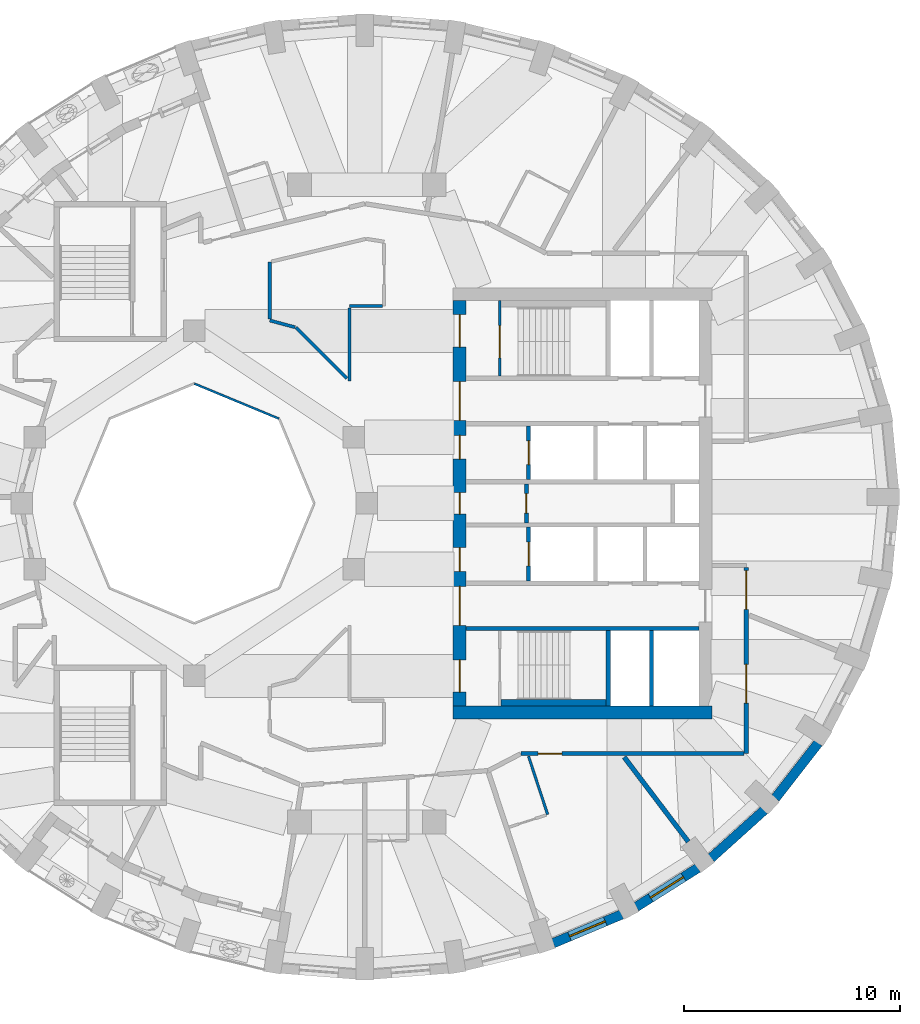
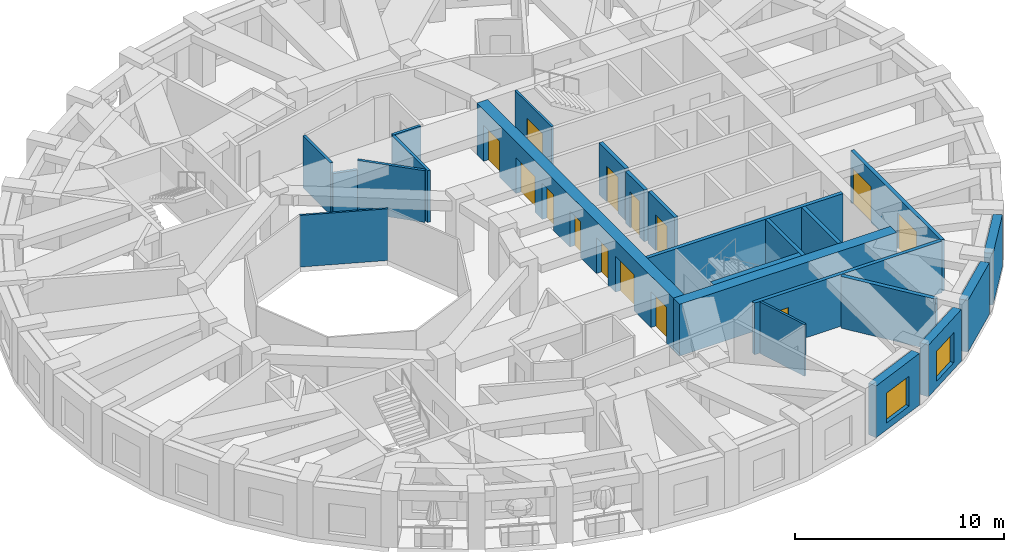
# One storey, part 5 of 12: 24 walls, 14 doors, 2 windows, 16 openings.
"""IFC4 building model written with IfcOpenShell, lengths in metres."""

from ifc_helpers import new_model, si_unit, direction, frame, frame_2d, origin, place, context, subcontext, project, spatial, rectangle, extrude, material, layer, layer_set, type_object, element, fill, save


model = new_model("IFC4")

# Units and contexts
model_context = context("Model", 3, precision=1e-05, world=origin(), true_north=direction((0.0, 1.0)))
body_context = subcontext(model_context, "Body", "Model", "MODEL_VIEW")
ifc_project = project(units=[si_unit("LENGTHUNIT", "METRE"), si_unit("AREAUNIT", "SQUARE_METRE"), si_unit("VOLUMEUNIT", "CUBIC_METRE"), si_unit("PLANEANGLEUNIT", "RADIAN"), si_unit("MASSUNIT", "GRAM", prefix="KILO")], contexts=[model_context])

# Site, building, storey
site_placement = place(None, origin())
site = spatial("IfcSite", under=ifc_project, at=site_placement, CompositionType="ELEMENT")
building_placement = place(site_placement, origin())
building = spatial("IfcBuilding", under=site, at=building_placement, Name="Taillehof Tower", CompositionType="ELEMENT")
storey_placement = place(building_placement, frame((0.0, 0.0, 253.10009765625)))
storey = spatial("IfcBuildingStorey", under=building, at=storey_placement, Name="L72", CompositionType="ELEMENT", Elevation=253.10009765625)

# Wall
ifc_material_1 = material(Name="Fire-resisting glass in steel frame", Category="steel")
ifc_layer_1 = layer(ifc_material_1, 0.10009765625)
ifc_layer_set_1 = layer_set([ifc_layer_1], Name="Atrium fire-resisting screen EI 60 100")
wall_type_1 = type_object("IfcWallType", Name="Atrium fire-resisting screen EI 60 100", PredefinedType="PARTITIONING", material=ifc_layer_set_1)
wall_1_placement = place(storey_placement, frame((-8.0, 5.55419921875, 0.0), z_axis=(0.0, 0.0, 1.0), x_axis=(0.923860025149, -0.382730523909, 0.0)))
element("IfcWall", 1, at=wall_1_placement, inside=storey, type_object=wall_type_1, Name="Atrium screen", PredefinedType="PARTITIONING", context=body_context, shape_type="SweptSolid", body=[
    extrude(rectangle(XDim=4.2509765625, YDim=0.10009765625, at=frame_2d((2.12548828125, 0.0))), origin(), (0.0, 0.0, 1.0), 3.02001953125),
])

# Wall, opening, window
ifc_material_2 = material(Name="Brick masonry", Category="masonry")
ifc_layer_2 = layer(ifc_material_2, 0.449951171875)
ifc_layer_set_2 = layer_set([ifc_layer_2], Name="Brick infill wall 450")
wall_type_2 = type_object("IfcWallType", Name="Brick infill wall 450", PredefinedType="SOLIDWALL", material=ifc_layer_set_2)
wall_2_placement = place(storey_placement, frame((8.640869140625, -20.394775390625, 0.0), z_axis=(0.0, 0.0, 1.0), x_axis=(0.922049934692, 0.3870709469, 0.0)))
wall_2 = element("IfcWall", 2, at=wall_2_placement, inside=storey, type_object=wall_type_2, Name="Brick wall L72 bay 30", PredefinedType="SOLIDWALL", context=body_context, shape_type="SweptSolid", body=[
    extrude(rectangle(XDim=3.443115234375, YDim=0.449951171875, at=frame_2d((1.7216796875, 0.0))), origin(), (0.0, 0.0, 1.0), 3.02001953125),
])
opening_1_placement = place(wall_2_placement, frame((0.82177734375, 0.0, 0.39990234375)))
opening_1 = element("IfcOpeningElement", 3, at=opening_1_placement, cuts=wall_2, Name="Opening W4", PredefinedType="OPENING", context=body_context, shape_type="SweptSolid", body=[
    extrude(rectangle(XDim=1.800048828125, YDim=1.75, at=frame_2d((0.89990234375, 0.875))), frame((0.0, 0.23486328125, 0.0), z_axis=(0.0, -1.0, 0.0), x_axis=(1.0, 0.0, 0.0)), (0.0, 0.0, 1.0), 0.469970703125),
])
ifc_material_3 = material(Name="Aluminium window frame with clear double glazing", Category="aluminium")
window_type = type_object("IfcWindowType", Name="Deep-set window 1800x1750", PartitioningType="SINGLE_PANEL", PredefinedType="WINDOW", material=ifc_material_3)
window_1_placement = place(opening_1_placement, origin())
window_1 = element("IfcWindow", 4, at=window_1_placement, inside=storey, type_object=window_type, Name="W4", OverallHeight=1.75, OverallWidth=1.800048828125, PartitioningType="SINGLE_PANEL", PredefinedType="WINDOW", context=body_context, shape_type="SweptSolid", body=[
    extrude(rectangle(XDim=1.800048828125, YDim=1.75, at=frame_2d((0.89990234375, 0.875))), frame((0.0, 0.034912109375, 0.0), z_axis=(0.0, -1.0, 0.0), x_axis=(1.0, 0.0, 0.0)), (0.0, 0.0, 1.0), 0.06005859375),
])
fill(opening_1, window_1)

wall_3_placement = place(storey_placement, frame((12.489990234375, -18.7109375, 0.0), z_axis=(0.0, 0.0, 1.0), x_axis=(0.845929139811, 0.53329531258, 0.0)))
wall_3 = element("IfcWall", 5, at=wall_3_placement, inside=storey, type_object=wall_type_2, Name="Brick wall L72 bay 31", PredefinedType="SOLIDWALL", context=body_context, shape_type="SweptSolid", body=[
    extrude(rectangle(XDim=3.384521484375, YDim=0.449951171875, at=frame_2d((1.6923828125, 0.0))), origin(), (0.0, 0.0, 1.0), 3.02001953125),
])
opening_2_placement = place(wall_3_placement, frame((0.792236328125, 0.0, 0.39990234375)))
opening_2 = element("IfcOpeningElement", 6, at=opening_2_placement, cuts=wall_3, Name="Opening W4", PredefinedType="OPENING", context=body_context, shape_type="SweptSolid", body=[
    extrude(rectangle(XDim=1.800048828125, YDim=1.75, at=frame_2d((0.89990234375, 0.875))), frame((0.0, 0.23486328125, 0.0), z_axis=(0.0, -1.0, 0.0), x_axis=(1.0, 0.0, 0.0)), (0.0, 0.0, 1.0), 0.469970703125),
])
window_2_placement = place(opening_2_placement, origin())
window_2 = element("IfcWindow", 7, at=window_2_placement, inside=storey, type_object=window_type, Name="W4", OverallHeight=1.75, OverallWidth=1.800048828125, PartitioningType="SINGLE_PANEL", PredefinedType="WINDOW", context=body_context, shape_type="SweptSolid", body=[
    extrude(rectangle(XDim=1.800048828125, YDim=1.75, at=frame_2d((0.89990234375, 0.875))), frame((0.0, 0.034912109375, 0.0), z_axis=(0.0, -1.0, 0.0), x_axis=(1.0, 0.0, 0.0)), (0.0, 0.0, 1.0), 0.06005859375),
])
fill(opening_2, window_2)

# Walls
wall_4_placement = place(storey_placement, frame((15.959228515625, -16.447509765625, 0.0), z_axis=(0.0, 0.0, 1.0), x_axis=(0.743166014219, 0.669107073128, 0.0)))
element("IfcWall", 8, at=wall_4_placement, inside=storey, type_object=wall_type_2, Name="Brick wall L72 bay 32", PredefinedType="SOLIDWALL", context=body_context, shape_type="SweptSolid", body=[
    extrude(rectangle(XDim=3.31640625, YDim=0.449951171875, at=frame_2d((1.658203125, 0.0))), origin(), (0.0, 0.0, 1.0), 3.02001953125),
])
wall_5_placement = place(storey_placement, frame((18.941650390625, -13.671875, 0.0), z_axis=(0.0, 0.0, 1.0), x_axis=(0.613898970825, 0.789384604372, 0.0)))
element("IfcWall", 9, at=wall_5_placement, inside=storey, type_object=wall_type_2, Name="Brick wall L72 bay 33", PredefinedType="SOLIDWALL", context=body_context, shape_type="SweptSolid", body=[
    extrude(rectangle(XDim=3.2470703125, YDim=0.449951171875, at=frame_2d((1.62353515625, 0.0))), origin(), (0.0, 0.0, 1.0), 3.02001953125),
])

# Wall, opening, door
ifc_material_4 = material(Name="Calcium silicate masonry", Category="masonry")
ifc_layer_3 = layer(ifc_material_4, 0.199951171875)
ifc_layer_set_3 = layer_set([ifc_layer_3], Name="Compartment wall calcium silicate 200")
wall_type_3 = type_object("IfcWallType", Name="Compartment wall calcium silicate 200", PredefinedType="PARTITIONING", material=ifc_layer_set_3)
wall_6_placement = place(storey_placement, frame((7.39990234375, -0.89990234375, 0.0), z_axis=(0.0, 0.0, 1.0), x_axis=(0.0, 1.0, 0.0)))
wall_6 = element("IfcWall", 10, at=wall_6_placement, inside=storey, type_object=wall_type_3, Name="Compartment wall FW", PredefinedType="PARTITIONING", context=body_context, shape_type="SweptSolid", body=[
    extrude(rectangle(XDim=1.7998046875, YDim=0.199951171875, at=frame_2d((0.89990234375, 0.0))), origin(), (0.0, 0.0, 1.0), 3.02001953125),
])
opening_3_placement = place(wall_6_placement, frame((0.449951171875, 0.0, 0.0)))
opening_3 = element("IfcOpeningElement", 11, at=opening_3_placement, cuts=wall_6, Name="Opening D7214", PredefinedType="OPENING", context=body_context, shape_type="SweptSolid", body=[
    extrude(rectangle(XDim=0.89990234375, YDim=2.10009765625, at=frame_2d((0.449951171875, 1.050048828125))), frame((0.0, 0.10986328125, 0.0), z_axis=(0.0, -1.0, 0.0), x_axis=(1.0, 0.0, 0.0)), (0.0, 0.0, 1.0), 0.219970703125),
])
ifc_material_5 = material(Name="Steel-faced fire door", Category="steel")
door_type_1 = type_object("IfcDoorType", Name="Riser and service room door 900x2100", OperationType="SINGLE_SWING_LEFT", PredefinedType="DOOR", material=ifc_material_5)
door_1_placement = place(opening_3_placement, origin())
door_1 = element("IfcDoor", 12, at=door_1_placement, inside=storey, type_object=door_type_1, Name="Door Housekeeping Store", OperationType="SINGLE_SWING_RIGHT", OverallHeight=2.10009765625, OverallWidth=0.89990234375, PredefinedType="DOOR", context=body_context, shape_type="SweptSolid", body=[
    extrude(rectangle(XDim=0.89990234375, YDim=2.10009765625, at=frame_2d((0.449951171875, 1.050048828125))), frame((0.0, 0.02490234375, 0.0), z_axis=(0.0, -1.0, 0.0), x_axis=(1.0, 0.0, 0.0)), (0.0, 0.0, 1.0), 0.050048828125),
])
fill(opening_3, door_1)

# Wall, openings, doors
ifc_material_6 = material(Name="Gypsum board on steel studs, two layers each side", Category="steel")
ifc_layer_4 = layer(ifc_material_6, 0.199951171875)
ifc_layer_set_4 = layer_set([ifc_layer_4], Name="Compartment wall corridor 200")
wall_type_4 = type_object("IfcWallType", Name="Compartment wall corridor 200", PredefinedType="PARTITIONING", material=ifc_layer_set_4)
wall_7_placement = place(storey_placement, frame((17.60009765625, -2.977294921875, 0.0), z_axis=(0.0, 0.0, 1.0), x_axis=(0.0, -1.0, 0.0)))
wall_7 = element("IfcWall", 13, at=wall_7_placement, inside=storey, type_object=wall_type_4, Name="Compartment wall", PredefinedType="PARTITIONING", context=body_context, shape_type="SweptSolid", body=[
    extrude(rectangle(XDim=8.622802734375, YDim=0.199951171875, at=frame_2d((4.3115234375, 0.0))), origin(), (0.0, 0.0, 1.0), 3.02001953125),
])
opening_4_placement = place(wall_7_placement, frame((4.482666015625, 0.0, 0.0)))
opening_4 = element("IfcOpeningElement", 14, at=opening_4_placement, cuts=wall_7, Name="Opening D7256", PredefinedType="OPENING", context=body_context, shape_type="SweptSolid", body=[
    extrude(rectangle(XDim=1.800048828125, YDim=2.10009765625, at=frame_2d((0.89990234375, 1.050048828125))), frame((0.0, 0.10986328125, 0.0), z_axis=(0.0, -1.0, 0.0), x_axis=(1.0, 0.0, 0.0)), (0.0, 0.0, 1.0), 0.219970703125),
])
opening_5_placement = place(wall_7_placement, frame((0.139892578125, 0.0, 0.0)))
opening_5 = element("IfcOpeningElement", 15, at=opening_5_placement, cuts=wall_7, Name="Opening D7257", PredefinedType="OPENING", context=body_context, shape_type="SweptSolid", body=[
    extrude(rectangle(XDim=1.800048828125, YDim=2.10009765625, at=frame_2d((0.89990234375, 1.050048828125))), frame((0.0, 0.10986328125, 0.0), z_axis=(0.0, -1.0, 0.0), x_axis=(1.0, 0.0, 0.0)), (0.0, 0.0, 1.0), 0.219970703125),
])
ifc_material_7 = material(Name="Timber door leaf in steel frame", Category="steel")
door_type_2 = type_object("IfcDoorType", Name="Lounge and meeting room double door EI 30 1800 x 2100", OperationType="SINGLE_SWING_LEFT", PredefinedType="DOOR", material=ifc_material_7)
door_2_placement = place(opening_4_placement, origin())
door_2 = element("IfcDoor", 16, at=door_2_placement, inside=storey, type_object=door_type_2, Name="D7256", OperationType="DOUBLE_DOOR_SINGLE_SWING", OverallHeight=2.10009765625, OverallWidth=1.800048828125, PredefinedType="DOOR", context=body_context, shape_type="SweptSolid", body=[
    extrude(rectangle(XDim=1.800048828125, YDim=2.10009765625, at=frame_2d((0.89990234375, 1.050048828125))), frame((0.0, 0.02490234375, 0.0), z_axis=(0.0, -1.0, 0.0), x_axis=(1.0, 0.0, 0.0)), (0.0, 0.0, 1.0), 0.050048828125),
])
fill(opening_4, door_2)
door_3_placement = place(opening_5_placement, origin())
door_3 = element("IfcDoor", 17, at=door_3_placement, inside=storey, type_object=door_type_2, Name="D7257", OperationType="DOUBLE_DOOR_SINGLE_SWING", OverallHeight=2.10009765625, OverallWidth=1.800048828125, PredefinedType="DOOR", context=body_context, shape_type="SweptSolid", body=[
    extrude(rectangle(XDim=1.800048828125, YDim=2.10009765625, at=frame_2d((0.89990234375, 1.050048828125))), frame((0.0, 0.02490234375, 0.0), z_axis=(0.0, -1.0, 0.0), x_axis=(1.0, 0.0, 0.0)), (0.0, 0.0, 1.0), 0.050048828125),
])
fill(opening_5, door_3)

# Wall, opening, door
wall_8_placement = place(storey_placement, frame((17.5, -11.60009765625, 0.0), z_axis=(0.0, 0.0, 1.0), x_axis=(-1.0, 0.0, 0.0)))
wall_8 = element("IfcWall", 18, at=wall_8_placement, inside=storey, type_object=wall_type_4, Name="Compartment wall", PredefinedType="PARTITIONING", context=body_context, shape_type="SweptSolid", body=[
    extrude(rectangle(XDim=10.347900390625, YDim=0.199951171875, at=frame_2d((5.173828125, 0.0))), origin(), (0.0, 0.0, 1.0), 3.02001953125),
])
opening_6_placement = place(wall_8_placement, frame((8.461669921875, 0.0, 0.0)))
opening_6 = element("IfcOpeningElement", 19, at=opening_6_placement, cuts=wall_8, Name="Opening D7254", PredefinedType="OPENING", context=body_context, shape_type="SweptSolid", body=[
    extrude(rectangle(XDim=1.10009765625, YDim=2.10009765625, at=frame_2d((0.550048828125, 1.050048828125))), frame((0.0, 0.10986328125, 0.0), z_axis=(0.0, -1.0, 0.0), x_axis=(1.0, 0.0, 0.0)), (0.0, 0.0, 1.0), 0.219970703125),
])
ifc_material_8 = material(Name="Timber door leaf in steel frame", Category="steel")
door_type_3 = type_object("IfcDoorType", Name="Suite entrance door EI 30 1100 x 2100", OperationType="SINGLE_SWING_LEFT", PredefinedType="DOOR", material=ifc_material_8)
door_4_placement = place(opening_6_placement, origin())
door_4 = element("IfcDoor", 20, at=door_4_placement, inside=storey, type_object=door_type_3, Name="D7254", OperationType="SINGLE_SWING_RIGHT", OverallHeight=2.10009765625, OverallWidth=1.10009765625, PredefinedType="DOOR", context=body_context, shape_type="SweptSolid", body=[
    extrude(rectangle(XDim=1.10009765625, YDim=2.10009765625, at=frame_2d((0.550048828125, 1.050048828125))), frame((0.0, 0.02490234375, 0.0), z_axis=(0.0, -1.0, 0.0), x_axis=(1.0, 0.0, 0.0)), (0.0, 0.0, 1.0), 0.050048828125),
])
fill(opening_6, door_4)

# Walls
ifc_material_9 = material(Name="Gypsum board on double steel studs with mineral wool", Category="steel")
ifc_layer_5 = layer(ifc_material_9, 0.219970703125)
ifc_layer_set_5 = layer_set([ifc_layer_5], Name="Compartment wall guest room 220")
wall_type_5 = type_object("IfcWallType", Name="Compartment wall guest room 220", PredefinedType="PARTITIONING", material=ifc_layer_set_5)
wall_9_placement = place(storey_placement, frame((14.906005859375, -15.687255859375, 0.0), z_axis=(0.0, 0.0, 1.0), x_axis=(-0.604078206052, 0.796925041, 0.0)))
element("IfcWall", 21, at=wall_9_placement, inside=storey, type_object=wall_type_5, Name="Compartment wall", PredefinedType="PARTITIONING", context=body_context, shape_type="SweptSolid", body=[
    extrude(rectangle(XDim=4.92333984375, YDim=0.219970703125, at=frame_2d((2.461669921875, 0.0))), origin(), (0.0, 0.0, 1.0), 3.02001953125),
])
ifc_material_10 = material(Name="Calcium silicate masonry", Category="masonry")
ifc_layer_6 = layer(ifc_material_10, 0.300048828125)
ifc_layer_set_6 = layer_set([ifc_layer_6], Name="Compartment wall lining calcium silicate 300")
wall_type_6 = type_object("IfcWallType", Name="Compartment wall lining calcium silicate 300", PredefinedType="PARTITIONING", material=ifc_layer_set_6)
wall_10_placement = place(storey_placement, frame((6.219970703125, -9.25, 0.0), z_axis=(0.0, 0.0, 1.0), x_axis=(1.0, 0.0, 0.0)))
element("IfcWall", 22, at=wall_10_placement, inside=storey, type_object=wall_type_6, Name="Compartment wall FW", PredefinedType="PARTITIONING", context=body_context, shape_type="SweptSolid", body=[
    extrude(rectangle(XDim=4.880126953125, YDim=0.300048828125, at=frame_2d((2.43994140625, 0.0))), origin(), (0.0, 0.0, 1.0), 3.02001953125),
])
ifc_material_11 = material(Name="Gypsum board on steel studs, two layers each side", Category="steel")
ifc_layer_7 = layer(ifc_material_11, 0.14990234375)
ifc_layer_set_7 = layer_set([ifc_layer_7], Name="Compartment wall service room 150")
wall_type_7 = type_object("IfcWallType", Name="Compartment wall service room 150", PredefinedType="PARTITIONING", material=ifc_layer_set_7)
wall_11_placement = place(storey_placement, frame((0.719970703125, 9.14990234375, 0.0), z_axis=(0.0, 0.0, 1.0), x_axis=(-1.0, 0.0, 0.0)))
element("IfcWall", 23, at=wall_11_placement, inside=storey, type_object=wall_type_7, Name="Compartment wall", PredefinedType="PARTITIONING", context=body_context, shape_type="SweptSolid", body=[
    extrude(rectangle(XDim=1.52001953125, YDim=0.14990234375, at=frame_2d((0.760009765625, 0.0))), origin(), (0.0, 0.0, 1.0), 3.02001953125),
])
wall_12_placement = place(storey_placement, frame((-0.800048828125, 9.06982421875, 0.0), z_axis=(0.0, 0.0, 1.0), x_axis=(0.0, -1.0, 0.0)))
element("IfcWall", 24, at=wall_12_placement, inside=storey, type_object=wall_type_7, Name="Compartment wall", PredefinedType="PARTITIONING", context=body_context, shape_type="SweptSolid", body=[
    extrude(rectangle(XDim=3.400390625, YDim=0.14990234375, at=frame_2d((1.7001953125, 0.0))), origin(), (0.0, 0.0, 1.0), 3.02001953125),
])
wall_13_placement = place(storey_placement, frame((-0.927490234375, 5.796875, 0.0), z_axis=(0.0, 0.0, 1.0), x_axis=(-0.707106781187, 0.707106781187, 0.0)))
element("IfcWall", 25, at=wall_13_placement, inside=storey, type_object=wall_type_7, Name="Compartment wall", PredefinedType="PARTITIONING", context=body_context, shape_type="SweptSolid", body=[
    extrude(rectangle(XDim=3.340576171875, YDim=0.14990234375, at=frame_2d((1.67041015625, 0.0))), origin(), (0.0, 0.0, 1.0), 3.02001953125),
])
wall_14_placement = place(storey_placement, frame((-3.328125, 8.169189453125, 0.0), z_axis=(0.0, 0.0, 1.0), x_axis=(-0.965933680277, 0.258789731841, 0.0)))
element("IfcWall", 26, at=wall_14_placement, inside=storey, type_object=wall_type_7, Name="Compartment wall", PredefinedType="PARTITIONING", context=body_context, shape_type="SweptSolid", body=[
    extrude(rectangle(XDim=1.213134765625, YDim=0.14990234375, at=frame_2d((0.6064453125, 0.0))), origin(), (0.0, 0.0, 1.0), 2.469970703125),
])
wall_15_placement = place(storey_placement, frame((-4.5, 8.563232421875, 0.0), z_axis=(0.0, 0.0, 1.0), x_axis=(0.0, 1.0, 0.0)))
element("IfcWall", 27, at=wall_15_placement, inside=storey, type_object=wall_type_7, Name="Compartment wall", PredefinedType="PARTITIONING", context=body_context, shape_type="SweptSolid", body=[
    extrude(rectangle(XDim=2.6328125, YDim=0.14990234375, at=frame_2d((1.31640625, 0.0))), origin(), (0.0, 0.0, 1.0), 3.02001953125),
])

# Wall, openings, doors
ifc_material_12 = material(Name="Concrete C80/95", Category="concrete")
ifc_layer_8 = layer(ifc_material_12, 0.60009765625)
ifc_layer_set_8 = layer_set([ifc_layer_8], Name="Core wall C80/95 600")
wall_type_8 = type_object("IfcWallType", Name="Core wall C80/95 600", PredefinedType="SHEAR", material=ifc_layer_set_8)
wall_16_placement = place(storey_placement, frame((4.300048828125, -9.39990234375, 0.0), z_axis=(0.0, 0.0, 1.0), x_axis=(0.0, 1.0, 0.0)))
wall_16 = element("IfcWall", 28, at=wall_16_placement, inside=storey, type_object=wall_type_8, Name="Core wall CW01", PredefinedType="SHEAR", context=body_context, shape_type="SweptSolid", body=[
    extrude(rectangle(XDim=18.7998046875, YDim=0.60009765625, at=frame_2d((9.39990234375, 0.0))), origin(), (0.0, 0.0, 1.0), 3.02001953125),
])
opening_7_placement = place(wall_16_placement, frame((0.64990234375, 0.0, 0.0)))
opening_7 = element("IfcOpeningElement", 29, at=opening_7_placement, cuts=wall_16, Name="Opening D7201", PredefinedType="OPENING", context=body_context, shape_type="SweptSolid", body=[
    extrude(rectangle(XDim=1.5, YDim=2.10009765625, at=frame_2d((0.75, 1.050048828125))), frame((0.0, 0.31005859375, 0.0), z_axis=(0.0, -1.0, 0.0), x_axis=(1.0, 0.0, 0.0)), (0.0, 0.0, 1.0), 0.6201171875),
])
opening_8_placement = place(wall_16_placement, frame((3.75, 0.0, 0.0)))
opening_8 = element("IfcOpeningElement", 30, at=opening_8_placement, cuts=wall_16, Name="Opening D7202", PredefinedType="OPENING", context=body_context, shape_type="SweptSolid", body=[
    extrude(rectangle(XDim=1.800048828125, YDim=2.10009765625, at=frame_2d((0.89990234375, 1.050048828125))), frame((0.0, 0.31005859375, 0.0), z_axis=(0.0, -1.0, 0.0), x_axis=(1.0, 0.0, 0.0)), (0.0, 0.0, 1.0), 0.6201171875),
])
opening_9_placement = place(wall_16_placement, frame((6.25, 0.0, 0.0)))
opening_9 = element("IfcOpeningElement", 31, at=opening_9_placement, cuts=wall_16, Name="Opening D7203", PredefinedType="OPENING", context=body_context, shape_type="SweptSolid", body=[
    extrude(rectangle(XDim=1.10009765625, YDim=2.10009765625, at=frame_2d((0.550048828125, 1.050048828125))), frame((0.0, 0.31005859375, 0.0), z_axis=(0.0, -1.0, 0.0), x_axis=(1.0, 0.0, 0.0)), (0.0, 0.0, 1.0), 0.6201171875),
])
opening_10_placement = place(wall_16_placement, frame((8.89990234375, 0.0, 0.0)))
opening_10 = element("IfcOpeningElement", 32, at=opening_10_placement, cuts=wall_16, Name="Opening D7204", PredefinedType="OPENING", context=body_context, shape_type="SweptSolid", body=[
    extrude(rectangle(XDim=1.0, YDim=2.10009765625, at=frame_2d((0.5, 1.050048828125))), frame((0.0, 0.31005859375, 0.0), z_axis=(0.0, -1.0, 0.0), x_axis=(1.0, 0.0, 0.0)), (0.0, 0.0, 1.0), 0.6201171875),
])
opening_11_placement = place(wall_16_placement, frame((11.449951171875, 0.0, 0.0)))
opening_11 = element("IfcOpeningElement", 33, at=opening_11_placement, cuts=wall_16, Name="Opening D7205", PredefinedType="OPENING", context=body_context, shape_type="SweptSolid", body=[
    extrude(rectangle(XDim=1.10009765625, YDim=2.10009765625, at=frame_2d((0.550048828125, 1.050048828125))), frame((0.0, 0.31005859375, 0.0), z_axis=(0.0, -1.0, 0.0), x_axis=(1.0, 0.0, 0.0)), (0.0, 0.0, 1.0), 0.6201171875),
])
opening_12_placement = place(wall_16_placement, frame((13.25, 0.0, 0.0)))
opening_12 = element("IfcOpeningElement", 34, at=opening_12_placement, cuts=wall_16, Name="Opening D7206", PredefinedType="OPENING", context=body_context, shape_type="SweptSolid", body=[
    extrude(rectangle(XDim=1.800048828125, YDim=2.10009765625, at=frame_2d((0.89990234375, 1.050048828125))), frame((0.0, 0.31005859375, 0.0), z_axis=(0.0, -1.0, 0.0), x_axis=(1.0, 0.0, 0.0)), (0.0, 0.0, 1.0), 0.6201171875),
])
opening_13_placement = place(wall_16_placement, frame((16.64990234375, 0.0, 0.0)))
opening_13 = element("IfcOpeningElement", 35, at=opening_13_placement, cuts=wall_16, Name="Opening D7207", PredefinedType="OPENING", context=body_context, shape_type="SweptSolid", body=[
    extrude(rectangle(XDim=1.5, YDim=2.10009765625, at=frame_2d((0.75, 1.050048828125))), frame((0.0, 0.31005859375, 0.0), z_axis=(0.0, -1.0, 0.0), x_axis=(1.0, 0.0, 0.0)), (0.0, 0.0, 1.0), 0.6201171875),
])
ifc_material_13 = material(Name="Steel-faced fire door", Category="steel")
door_type_4 = type_object("IfcDoorType", Name="Firefighting lobby door 1100x2100", OperationType="SINGLE_SWING_RIGHT", PredefinedType="DOOR", material=ifc_material_13)
door_5_placement = place(opening_9_placement, origin())
door_5 = element("IfcDoor", 36, at=door_5_placement, inside=storey, type_object=door_type_4, Name="Firefighting lobby door FFL-S", OperationType="SINGLE_SWING_RIGHT", OverallHeight=2.10009765625, OverallWidth=1.10009765625, PredefinedType="DOOR", context=body_context, shape_type="SweptSolid", body=[
    extrude(rectangle(XDim=1.10009765625, YDim=2.10009765625, at=frame_2d((0.550048828125, 1.050048828125))), frame((0.0, 0.02490234375, 0.0), z_axis=(0.0, -1.0, 0.0), x_axis=(1.0, 0.0, 0.0)), (0.0, 0.0, 1.0), 0.050048828125),
])
fill(opening_9, door_5)
door_6_placement = place(opening_11_placement, origin())
door_6 = element("IfcDoor", 37, at=door_6_placement, inside=storey, type_object=door_type_4, Name="Firefighting lobby door FFL-N", OperationType="SINGLE_SWING_LEFT", OverallHeight=2.10009765625, OverallWidth=1.10009765625, PredefinedType="DOOR", context=body_context, shape_type="SweptSolid", body=[
    extrude(rectangle(XDim=1.10009765625, YDim=2.10009765625, at=frame_2d((0.550048828125, 1.050048828125))), frame((0.0, 0.02490234375, 0.0), z_axis=(0.0, -1.0, 0.0), x_axis=(1.0, 0.0, 0.0)), (0.0, 0.0, 1.0), 0.050048828125),
])
fill(opening_11, door_6)
ifc_material_14 = material(Name="Steel-faced fire door", Category="steel")
door_type_5 = type_object("IfcDoorType", Name="Lift lobby door 1800x2100", OperationType="DOUBLE_DOOR_SINGLE_SWING", PredefinedType="DOOR", material=ifc_material_14)
door_7_placement = place(opening_8_placement, origin())
door_7 = element("IfcDoor", 38, at=door_7_placement, inside=storey, type_object=door_type_5, Name="Lift lobby door LL-S", OperationType="DOUBLE_DOOR_SINGLE_SWING", OverallHeight=2.10009765625, OverallWidth=1.800048828125, PredefinedType="DOOR", context=body_context, shape_type="SweptSolid", body=[
    extrude(rectangle(XDim=1.800048828125, YDim=2.10009765625, at=frame_2d((0.89990234375, 1.050048828125))), frame((0.0, 0.02490234375, 0.0), z_axis=(0.0, -1.0, 0.0), x_axis=(1.0, 0.0, 0.0)), (0.0, 0.0, 1.0), 0.050048828125),
])
fill(opening_8, door_7)
door_8_placement = place(opening_12_placement, origin())
door_8 = element("IfcDoor", 39, at=door_8_placement, inside=storey, type_object=door_type_5, Name="Lift lobby door LL-N", OperationType="DOUBLE_DOOR_SINGLE_SWING", OverallHeight=2.10009765625, OverallWidth=1.800048828125, PredefinedType="DOOR", context=body_context, shape_type="SweptSolid", body=[
    extrude(rectangle(XDim=1.800048828125, YDim=2.10009765625, at=frame_2d((0.89990234375, 1.050048828125))), frame((0.0, 0.02490234375, 0.0), z_axis=(0.0, -1.0, 0.0), x_axis=(1.0, 0.0, 0.0)), (0.0, 0.0, 1.0), 0.050048828125),
])
fill(opening_12, door_8)
ifc_material_15 = material(Name="Steel-faced fire door", Category="steel")
door_type_6 = type_object("IfcDoorType", Name="Service door 1000x2100", OperationType="SINGLE_SWING_RIGHT", PredefinedType="DOOR", material=ifc_material_15)
door_9_placement = place(opening_10_placement, origin())
door_9 = element("IfcDoor", 40, at=door_9_placement, inside=storey, type_object=door_type_6, Name="Service door SV", OperationType="SINGLE_SWING_RIGHT", OverallHeight=2.10009765625, OverallWidth=1.0, PredefinedType="DOOR", context=body_context, shape_type="SweptSolid", body=[
    extrude(rectangle(XDim=1.0, YDim=2.10009765625, at=frame_2d((0.5, 1.050048828125))), frame((0.0, 0.02490234375, 0.0), z_axis=(0.0, -1.0, 0.0), x_axis=(1.0, 0.0, 0.0)), (0.0, 0.0, 1.0), 0.050048828125),
])
fill(opening_10, door_9)
ifc_material_16 = material(Name="Steel-faced fire door", Category="steel")
door_type_7 = type_object("IfcDoorType", Name="Stair door 1500x2100", OperationType="DOUBLE_DOOR_SINGLE_SWING", PredefinedType="DOOR", material=ifc_material_16)
door_10_placement = place(opening_7_placement, origin())
door_10 = element("IfcDoor", 41, at=door_10_placement, inside=storey, type_object=door_type_7, Name="Stair door S2", OperationType="DOUBLE_DOOR_SINGLE_SWING", OverallHeight=2.10009765625, OverallWidth=1.5, PredefinedType="DOOR", context=body_context, shape_type="SweptSolid", body=[
    extrude(rectangle(XDim=1.5, YDim=2.10009765625, at=frame_2d((0.75, 1.050048828125))), frame((0.0, 0.02490234375, 0.0), z_axis=(0.0, -1.0, 0.0), x_axis=(1.0, 0.0, 0.0)), (0.0, 0.0, 1.0), 0.050048828125),
])
fill(opening_7, door_10)
door_11_placement = place(opening_13_placement, origin())
door_11 = element("IfcDoor", 42, at=door_11_placement, inside=storey, type_object=door_type_7, Name="Stair door S1", OperationType="DOUBLE_DOOR_SINGLE_SWING", OverallHeight=2.10009765625, OverallWidth=1.5, PredefinedType="DOOR", context=body_context, shape_type="SweptSolid", body=[
    extrude(rectangle(XDim=1.5, YDim=2.10009765625, at=frame_2d((0.75, 1.050048828125))), frame((0.0, 0.02490234375, 0.0), z_axis=(0.0, -1.0, 0.0), x_axis=(1.0, 0.0, 0.0)), (0.0, 0.0, 1.0), 0.050048828125),
])
fill(opening_13, door_11)

# Walls
wall_17_placement = place(storey_placement, frame((4.0, -9.699951171875, 0.0), z_axis=(0.0, 0.0, 1.0), x_axis=(1.0, 0.0, 0.0)))
element("IfcWall", 43, at=wall_17_placement, inside=storey, type_object=wall_type_8, Name="Core wall CW07", PredefinedType="SHEAR", context=body_context, shape_type="SweptSolid", body=[
    extrude(rectangle(XDim=12.0, YDim=0.60009765625, at=frame_2d((6.0, 0.0))), origin(), (0.0, 0.0, 1.0), 3.02001953125),
])
ifc_material_17 = material(Name="Gypsum board on steel studs, moisture resistant", Category="steel")
ifc_layer_9 = layer(ifc_material_17, 0.1201171875)
ifc_layer_set_9 = layer_set([ifc_layer_9], Name="En-suite wall 120")
wall_type_9 = type_object("IfcWallType", Name="En-suite wall 120", PredefinedType="PARTITIONING", material=ifc_layer_set_9)
wall_18_placement = place(storey_placement, frame((7.494140625, -11.71923828125, 0.0), z_axis=(0.0, 0.0, 1.0), x_axis=(0.312267061004, -0.949994359253, 0.0)))
element("IfcWall", 44, at=wall_18_placement, inside=storey, type_object=wall_type_9, Name="En-suite wall", PredefinedType="PARTITIONING", context=body_context, shape_type="SweptSolid", body=[
    extrude(rectangle(XDim=2.849853515625, YDim=0.1201171875, at=frame_2d((1.4248046875, 0.0))), origin(), (0.0, 0.0, 1.0), 3.02001953125),
])
ifc_material_18 = material(Name="Concrete C50/60", Category="concrete")
ifc_layer_10 = layer(ifc_material_18, 0.199951171875)
ifc_layer_set_10 = layer_set([ifc_layer_10], Name="Shaft wall C50/60 200")
wall_type_10 = type_object("IfcWallType", Name="Shaft wall C50/60 200", PredefinedType="SHEAR", material=ifc_layer_set_10)
wall_19_placement = place(storey_placement, frame((4.60009765625, -5.800048828125, 0.0), z_axis=(0.0, 0.0, 1.0), x_axis=(1.0, 0.0, 0.0)))
element("IfcWall", 45, at=wall_19_placement, inside=storey, type_object=wall_type_10, Name="Shaft wall SW", PredefinedType="SHEAR", context=body_context, shape_type="SweptSolid", body=[
    extrude(rectangle(XDim=10.7998046875, YDim=0.199951171875, at=frame_2d((5.39990234375, 0.0))), origin(), (0.0, 0.0, 1.0), 3.02001953125),
])
for number, where, z_axis, x_axis, name in (
    (46, (11.199951171875, -9.39990234375, 0.0), (0.0, 0.0, 1.0), (0.0, 1.0, 0.0), "Shaft wall SW"),
    (47, (13.199951171875, -9.39990234375, 0.0), (0.0, 0.0, 1.0), (0.0, 1.0, 0.0), "Shaft wall SW"),
):
    element("IfcWall", number, at=place(storey_placement, frame(where, z_axis=z_axis, x_axis=x_axis)), inside=storey, type_object=wall_type_10, Name=name, PredefinedType="SHEAR", context=body_context, shape_type="SweptSolid", body=[
        extrude(rectangle(XDim=3.5, YDim=0.199951171875, at=frame_2d((1.75, 0.0))), origin(), (0.0, 0.0, 1.0), 3.02001953125),
    ])

# Wall, opening, door
wall_20_placement = place(storey_placement, frame((7.5, 1.10009765625, 0.0), z_axis=(0.0, 0.0, 1.0), x_axis=(0.0, 1.0, 0.0)))
wall_20 = element("IfcWall", 48, at=wall_20_placement, inside=storey, type_object=wall_type_10, Name="Shaft wall SW", PredefinedType="SHEAR", context=body_context, shape_type="SweptSolid", body=[
    extrude(rectangle(XDim=2.5, YDim=0.199951171875, at=frame_2d((1.25, 0.0))), origin(), (0.0, 0.0, 1.0), 3.02001953125),
])
opening_14_placement = place(wall_20_placement, frame((0.699951171875, 0.0, 0.0)))
opening_14 = element("IfcOpeningElement", 49, at=opening_14_placement, cuts=wall_20, Name="Opening LD1", PredefinedType="OPENING", context=body_context, shape_type="SweptSolid", body=[
    extrude(rectangle(XDim=1.10009765625, YDim=2.10009765625, at=frame_2d((0.550048828125, 1.050048828125))), frame((0.0, 0.10986328125, 0.0), z_axis=(0.0, -1.0, 0.0), x_axis=(1.0, 0.0, 0.0)), (0.0, 0.0, 1.0), 0.219970703125),
])
ifc_material_19 = material(Name="Stainless steel", Category="steel")
door_type_8 = type_object("IfcDoorType", Name="Lift landing door LD1 1100x2100", OperationType="DOUBLE_DOOR_SLIDING", PredefinedType="DOOR", material=ifc_material_19)
door_12_placement = place(opening_14_placement, origin())
door_12 = element("IfcDoor", 50, at=door_12_placement, inside=storey, type_object=door_type_8, Name="Landing door FF1", OperationType="DOUBLE_DOOR_SLIDING", OverallHeight=2.10009765625, OverallWidth=1.10009765625, PredefinedType="DOOR", context=body_context, shape_type="SweptSolid", body=[
    extrude(rectangle(XDim=1.10009765625, YDim=2.10009765625, at=frame_2d((0.550048828125, 1.050048828125))), frame((0.0, 0.02490234375, 0.0), z_axis=(0.0, -1.0, 0.0), x_axis=(1.0, 0.0, 0.0)), (0.0, 0.0, 1.0), 0.050048828125),
])
fill(opening_14, door_12)

wall_21_placement = place(storey_placement, frame((7.5, -3.60009765625, 0.0), z_axis=(0.0, 0.0, 1.0), x_axis=(0.0, 1.0, 0.0)))
wall_21 = element("IfcWall", 51, at=wall_21_placement, inside=storey, type_object=wall_type_10, Name="Shaft wall SW", PredefinedType="SHEAR", context=body_context, shape_type="SweptSolid", body=[
    extrude(rectangle(XDim=2.5, YDim=0.199951171875, at=frame_2d((1.25, 0.0))), origin(), (0.0, 0.0, 1.0), 3.02001953125),
])
opening_15_placement = place(wall_21_placement, frame((0.699951171875, 0.0, 0.0)))
opening_15 = element("IfcOpeningElement", 52, at=opening_15_placement, cuts=wall_21, Name="Opening LD1", PredefinedType="OPENING", context=body_context, shape_type="SweptSolid", body=[
    extrude(rectangle(XDim=1.10009765625, YDim=2.10009765625, at=frame_2d((0.550048828125, 1.050048828125))), frame((0.0, 0.10986328125, 0.0), z_axis=(0.0, -1.0, 0.0), x_axis=(1.0, 0.0, 0.0)), (0.0, 0.0, 1.0), 0.219970703125),
])
door_13_placement = place(opening_15_placement, origin())
door_13 = element("IfcDoor", 53, at=door_13_placement, inside=storey, type_object=door_type_8, Name="Landing door FF2", OperationType="DOUBLE_DOOR_SLIDING", OverallHeight=2.10009765625, OverallWidth=1.10009765625, PredefinedType="DOOR", context=body_context, shape_type="SweptSolid", body=[
    extrude(rectangle(XDim=1.10009765625, YDim=2.10009765625, at=frame_2d((0.550048828125, 1.050048828125))), frame((0.0, 0.02490234375, 0.0), z_axis=(0.0, -1.0, 0.0), x_axis=(1.0, 0.0, 0.0)), (0.0, 0.0, 1.0), 0.050048828125),
])
fill(opening_15, door_13)

ifc_material_20 = material(Name="Concrete C50/60", Category="concrete")
ifc_layer_11 = layer(ifc_material_20, 0.1201171875)
ifc_layer_set_11 = layer_set([ifc_layer_11], Name="Stair lobby wall C50/60 120")
wall_type_11 = type_object("IfcWallType", Name="Stair lobby wall C50/60 120", PredefinedType="SHEAR", material=ifc_layer_set_11)
wall_22_placement = place(storey_placement, frame((6.159912109375, 5.89990234375, 0.0), z_axis=(0.0, 0.0, 1.0), x_axis=(0.0, 1.0, 0.0)))
wall_22 = element("IfcWall", 54, at=wall_22_placement, inside=storey, type_object=wall_type_11, Name="Compartment wall SW", PredefinedType="SHEAR", context=body_context, shape_type="SweptSolid", body=[
    extrude(rectangle(XDim=3.5, YDim=0.1201171875, at=frame_2d((1.75, 0.0))), origin(), (0.0, 0.0, 1.0), 3.02001953125),
])
opening_16_placement = place(wall_22_placement, frame((0.85009765625, 0.0, 0.0)))
opening_16 = element("IfcOpeningElement", 55, at=opening_16_placement, cuts=wall_22, Name="Opening D7210", PredefinedType="OPENING", context=body_context, shape_type="SweptSolid", body=[
    extrude(rectangle(XDim=1.5, YDim=2.10009765625, at=frame_2d((0.75, 1.050048828125))), frame((0.0, 0.070068359375, 0.0), z_axis=(0.0, -1.0, 0.0), x_axis=(1.0, 0.0, 0.0)), (0.0, 0.0, 1.0), 0.14013671875),
])
door_14_placement = place(opening_16_placement, origin())
door_14 = element("IfcDoor", 56, at=door_14_placement, inside=storey, type_object=door_type_7, Name="Stair lobby door S1", OperationType="DOUBLE_DOOR_SINGLE_SWING", OverallHeight=2.10009765625, OverallWidth=1.5, PredefinedType="DOOR", context=body_context, shape_type="SweptSolid", body=[
    extrude(rectangle(XDim=1.5, YDim=2.10009765625, at=frame_2d((0.75, 1.050048828125))), frame((0.0, 0.02490234375, 0.0), z_axis=(0.0, -1.0, 0.0), x_axis=(1.0, 0.0, 0.0)), (0.0, 0.0, 1.0), 0.050048828125),
])
fill(opening_16, door_14)

save(model, "model.ifc")
